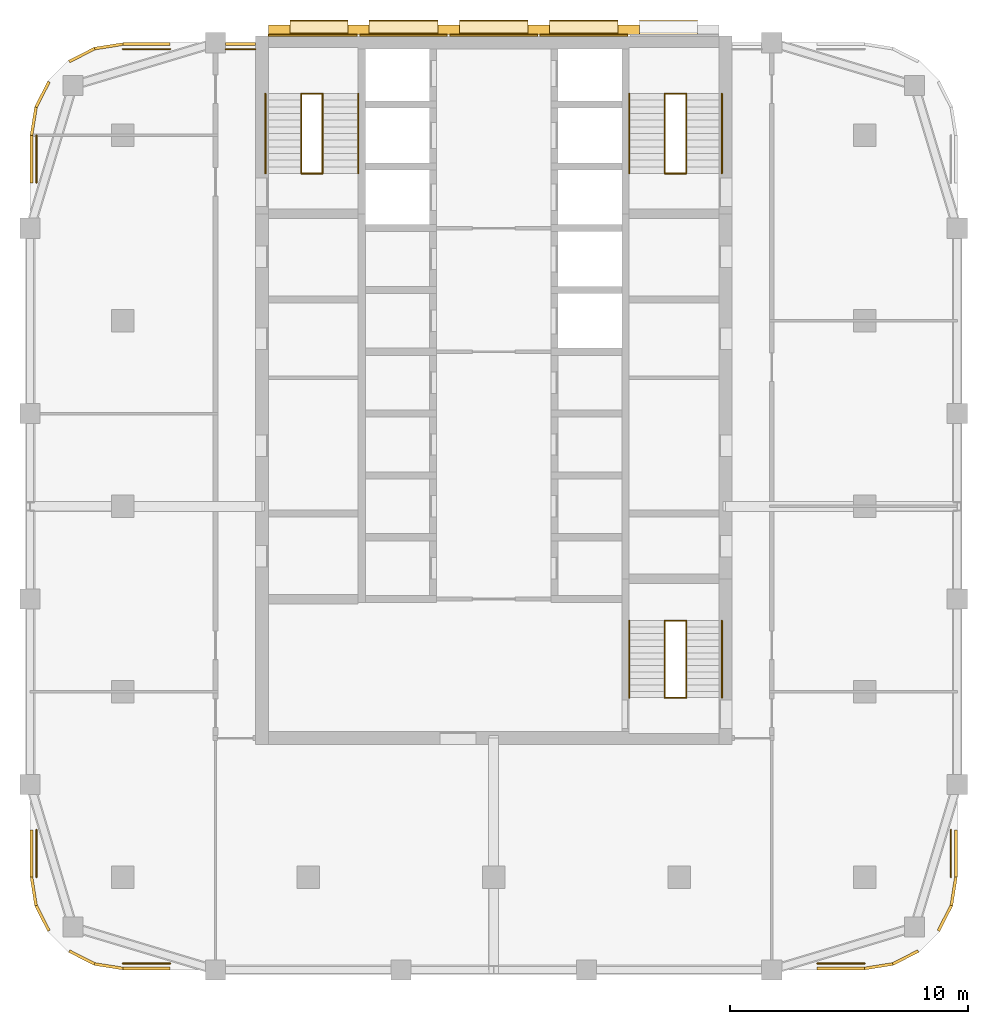
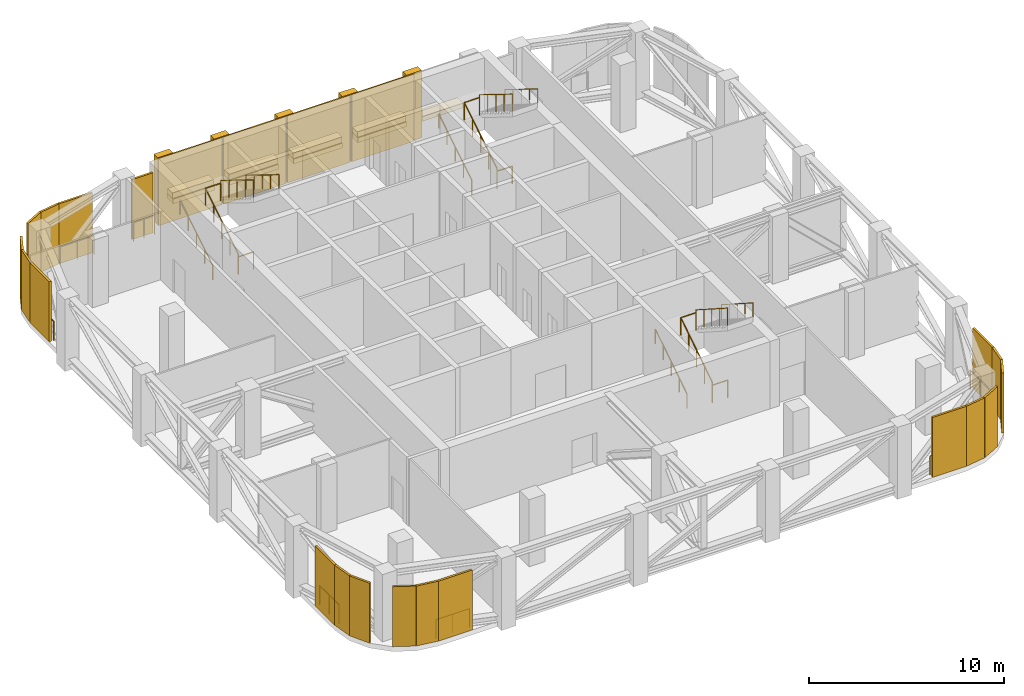
# One storey, part 10 of 11: 25 railings, 19 shading devices, 18 coverings, 3 elements without a shape of their own.
"""IFC4 building model written with IfcOpenShell, lengths in metres."""

from ifc_helpers import new_model, si_unit, direction, frame, frame_2d, origin, origin_2d, place, context, subcontext, project, spatial, rectangle, circle, extrude, material, layer, layer_set, type_object, element, aggregate, save


model = new_model("IFC4")

# Units and contexts
model_context = context("Model", 3, precision=1e-05, world=origin(), true_north=direction((0.0, 1.0)))
body_context = subcontext(model_context, "Body", "Model", "MODEL_VIEW")
ifc_project = project(units=[si_unit("LENGTHUNIT", "METRE"), si_unit("AREAUNIT", "SQUARE_METRE"), si_unit("VOLUMEUNIT", "CUBIC_METRE"), si_unit("PLANEANGLEUNIT", "RADIAN"), si_unit("MASSUNIT", "GRAM", prefix="KILO")], contexts=[model_context])

# Site, building, storey
site_placement = place(None, origin())
site = spatial("IfcSite", under=ifc_project, at=site_placement, CompositionType="ELEMENT")
building_placement = place(site_placement, origin())
building = spatial("IfcBuilding", under=site, at=building_placement, Name="Ludao Terraces", CompositionType="ELEMENT")
storey_placement = place(building_placement, frame((0.0, 0.0, 144.10009765625)))
storey = spatial("IfcBuildingStorey", under=building, at=storey_placement, Name="L39", CompositionType="ELEMENT", Elevation=144.10009765625)

# Coverings
ifc_material_1 = material(Name="Granite cladding", Category="masonry")
ifc_layer_1 = layer(ifc_material_1, 0.39990234375)
ifc_layer_set_1 = layer_set([ifc_layer_1], Name="ENV Core pilaster stone 400")
covering_type_1 = type_object("IfcCoveringType", Name="ENV Core pilaster stone 400", PredefinedType="CLADDING", material=ifc_layer_set_1)
for number, where, z_axis, x_axis, name in (
    (1, (75.97509765625, 85.054931640625, 0.0), (0.0, 0.0, 1.0), (1.0, 0.0, 0.0), "CC-L39-PIL1"),
    (2, (79.31494140625, 85.054931640625, 0.0), (0.0, 0.0, 1.0), (1.0, 0.0, 0.0), "CC-L39-PIL2"),
    (3, (83.10498046875, 85.054931640625, 0.0), (0.0, 0.0, 1.0), (1.0, 0.0, 0.0), "CC-L39-PIL3"),
    (4, (86.89501953125, 85.054931640625, 0.0), (0.0, 0.0, 1.0), (1.0, 0.0, 0.0), "CC-L39-PIL4"),
    (5, (90.68505859375, 85.054931640625, 0.0), (0.0, 0.0, 1.0), (1.0, 0.0, 0.0), "CC-L39-PIL5"),
):
    element("IfcCovering", number, at=place(storey_placement, frame(where, z_axis=z_axis, x_axis=x_axis)), inside=storey, type_object=covering_type_1, Name=name, PredefinedType="CLADDING", context=body_context, shape_type="SweptSolid", body=[
        extrude(rectangle(XDim=0.89990234375, YDim=0.39990234375, at=origin_2d()), origin(), (0.0, 0.0, 1.0), 4.199951171875),
    ])
ifc_layer_2 = layer(ifc_material_1, 0.60009765625)
ifc_layer_set_2 = layer_set([ifc_layer_2], Name="ENV Core planting shelf stone 600")
covering_type_2 = type_object("IfcCoveringType", Name="ENV Core planting shelf stone 600", PredefinedType="CLADDING", material=ifc_layer_set_2)
covering_1_placement = place(storey_placement, frame((77.64501953125, 85.155029296875, 1.0), z_axis=(0.0, 0.0, 1.0), x_axis=(1.0, 0.0, 0.0)))
element("IfcCovering", 6, at=covering_1_placement, inside=storey, type_object=covering_type_2, Name="CC-L39-SHELF1", PredefinedType="CLADDING", context=body_context, shape_type="SweptSolid", body=[
    extrude(rectangle(XDim=2.43994140625, YDim=0.60009765625, at=origin_2d()), origin(), (0.0, 0.0, 1.0), 0.300048828125),
])
for number, where, z_axis, x_axis, name in (
    (7, (81.2099609375, 85.155029296875, 1.0), (0.0, 0.0, 1.0), (1.0, 0.0, 0.0), "CC-L39-SHELF2"),
    (8, (85.0, 85.155029296875, 1.0), (0.0, 0.0, 1.0), (1.0, 0.0, 0.0), "CC-L39-SHELF3"),
    (9, (88.7900390625, 85.155029296875, 1.0), (0.0, 0.0, 1.0), (1.0, 0.0, 0.0), "CC-L39-SHELF4"),
):
    element("IfcCovering", number, at=place(storey_placement, frame(where, z_axis=z_axis, x_axis=x_axis)), inside=storey, type_object=covering_type_2, Name=name, PredefinedType="CLADDING", context=body_context, shape_type="SweptSolid", body=[
        extrude(rectangle(XDim=2.889892578125, YDim=0.60009765625, at=origin_2d()), origin(), (0.0, 0.0, 1.0), 0.300048828125),
    ])
covering_2_placement = place(storey_placement, frame((92.35498046875, 85.155029296875, 1.0), z_axis=(0.0, 0.0, 1.0), x_axis=(1.0, 0.0, 0.0)))
element("IfcCovering", 10, at=covering_2_placement, inside=storey, type_object=covering_type_2, Name="CC-L39-SHELF5", PredefinedType="CLADDING", context=body_context, shape_type="SweptSolid", body=[
    extrude(rectangle(XDim=2.43994140625, YDim=0.60009765625, at=origin_2d()), origin(), (0.0, 0.0, 1.0), 0.300048828125),
])
ifc_layer_3 = layer(ifc_material_1, 0.080078125)
ifc_layer_set_3 = layer_set([ifc_layer_3], Name="ENV Core stone cladding panel 80")
covering_type_3 = type_object("IfcCoveringType", Name="ENV Core stone cladding panel 80", PredefinedType="CLADDING", material=ifc_layer_set_3)
covering_3_placement = place(storey_placement, frame((77.39501953125, 84.81494140625, 0.0), z_axis=(0.0, 0.0, 1.0), x_axis=(1.0, 0.0, 0.0)))
element("IfcCovering", 11, at=covering_3_placement, inside=storey, type_object=covering_type_3, Name="CC-L39-CORE1", PredefinedType="CLADDING", context=body_context, shape_type="SweptSolid", body=[
    extrude(rectangle(XDim=3.739990234375, YDim=0.080078125, at=origin_2d()), origin(), (0.0, 0.0, 1.0), 4.199951171875),
])
for number, where, z_axis, x_axis, name in (
    (12, (81.2099609375, 84.81494140625, 0.0), (0.0, 0.0, 1.0), (1.0, 0.0, 0.0), "CC-L39-CORE2"),
    (13, (85.0, 84.81494140625, 0.0), (0.0, 0.0, 1.0), (1.0, 0.0, 0.0), "CC-L39-CORE3"),
    (14, (88.7900390625, 84.81494140625, 0.0), (0.0, 0.0, 1.0), (1.0, 0.0, 0.0), "CC-L39-CORE4"),
):
    element("IfcCovering", number, at=place(storey_placement, frame(where, z_axis=z_axis, x_axis=x_axis)), inside=storey, type_object=covering_type_3, Name=name, PredefinedType="CLADDING", context=body_context, shape_type="SweptSolid", body=[
        extrude(rectangle(XDim=3.68994140625, YDim=0.080078125, at=origin_2d()), origin(), (0.0, 0.0, 1.0), 4.199951171875),
    ])

# Shading devices
ifc_material_2 = material(Name="Aluminium 6063-T6", Category="aluminium")
ifc_layer_4 = layer(ifc_material_2, 0.1201171875)
ifc_layer_set_4 = layer_set([ifc_layer_4], Name="ENV Louvre screen 120")
shading_device_type = type_object("IfcShadingDeviceType", Name="ENV Louvre screen 120", PredefinedType="USERDEFINED", material=ifc_layer_set_4)
for number, where, z_axis, x_axis, name in (
    (15, (69.39990234375, 45.56005859375, 0.0), (0.0, 0.0, 1.0), (1.0, 0.0, 0.0), "LV-L39-S1"),
    (16, (98.60791015625, 45.56005859375, 0.0), (0.0, 0.0, 1.0), (1.0, 0.0, 0.0), "LV-L39-S5"),
    (17, (104.43994140625, 49.39990234375, 0.0), (0.0, 0.0, 1.0), (0.0, 1.0, 0.0), "LV-L39-E1"),
    (18, (69.39990234375, 84.43994140625, 0.0), (0.0, 0.0, 1.0), (1.0, 0.0, 0.0), "LV-L39-N1"),
):
    element("IfcShadingDevice", number, at=place(storey_placement, frame(where, z_axis=z_axis, x_axis=x_axis)), inside=storey, type_object=shading_device_type, Name=name, ObjectType="LOUVRE", PredefinedType="USERDEFINED", context=body_context, shape_type="SweptSolid", body=[
        extrude(rectangle(XDim=1.9921875, YDim=0.1201171875, at=frame_2d((0.99609375, 0.0))), origin(), (0.0, 0.0, 1.0), 3.75),
    ])
shading_device_placement = place(storey_placement, frame((73.72509765625, 84.43994140625, 0.0), z_axis=(0.0, 0.0, 1.0), x_axis=(1.0, 0.0, 0.0)))
element("IfcShadingDevice", 19, at=shading_device_placement, inside=storey, type_object=shading_device_type, Name="LV-L39-N2", ObjectType="LOUVRE", PredefinedType="USERDEFINED", context=body_context, shape_type="SweptSolid", body=[
    extrude(rectangle(XDim=1.25, YDim=0.1201171875, at=frame_2d((0.625, 0.0))), origin(), (0.0, 0.0, 1.0), 3.75),
])
for number, where, z_axis, x_axis, name in (
    (20, (65.56005859375, 49.39990234375, 0.0), (0.0, 0.0, 1.0), (0.0, 1.0, 0.0), "LV-L39-W1"),
    (21, (65.56005859375, 78.60791015625, 0.0), (0.0, 0.0, 1.0), (0.0, 1.0, 0.0), "LV-L39-W5"),
):
    element("IfcShadingDevice", number, at=place(storey_placement, frame(where, z_axis=z_axis, x_axis=x_axis)), inside=storey, type_object=shading_device_type, Name=name, ObjectType="LOUVRE", PredefinedType="USERDEFINED", context=body_context, shape_type="SweptSolid", body=[
        extrude(rectangle(XDim=1.9921875, YDim=0.1201171875, at=frame_2d((0.99609375, 0.0))), origin(), (0.0, 0.0, 1.0), 3.75),
    ])
for number, where, z_axis, x_axis, name in (
    (22, (100.60009765625, 45.56005859375, 0.0), (0.0, 0.0, 1.0), (0.987680438414, 0.156484349296, 0.0), "LV-L39-SE1"),
    (23, (101.78662109375, 45.748046875, 0.0), (0.0, 0.0, 1.0), (0.891028641699, 0.453947089066, 0.0), "LV-L39-SE2"),
    (24, (103.70654296875, 47.142822265625, 0.0), (0.0, 0.0, 1.0), (0.453947089066, 0.891028641699, 0.0), "LV-L39-SE4"),
    (25, (104.251953125, 48.21337890625, 0.0), (0.0, 0.0, 1.0), (0.156484349296, 0.987680438414, 0.0), "LV-L39-SE5"),
    (26, (69.39990234375, 84.43994140625, 0.0), (0.0, 0.0, 1.0), (-0.987680438414, -0.156484349296, 0.0), "LV-L39-NW1"),
    (27, (68.21337890625, 84.251953125, 0.0), (0.0, 0.0, 1.0), (-0.891028641699, -0.453947089066, 0.0), "LV-L39-NW2"),
    (28, (66.29345703125, 82.857177734375, 0.0), (0.0, 0.0, 1.0), (-0.453947089066, -0.891028641699, 0.0), "LV-L39-NW4"),
    (29, (65.748046875, 81.78662109375, 0.0), (0.0, 0.0, 1.0), (-0.156484349296, -0.987680438414, 0.0), "LV-L39-NW5"),
    (30, (65.56005859375, 49.39990234375, 0.0), (0.0, 0.0, 1.0), (0.156484349296, -0.987680438414, 0.0), "LV-L39-SW1"),
    (31, (65.748046875, 48.21337890625, 0.0), (0.0, 0.0, 1.0), (0.453947089066, -0.891028641699, 0.0), "LV-L39-SW2"),
    (32, (67.142822265625, 46.29345703125, 0.0), (0.0, 0.0, 1.0), (0.891028641699, -0.453947089066, 0.0), "LV-L39-SW4"),
    (33, (68.21337890625, 45.748046875, 0.0), (0.0, 0.0, 1.0), (0.987680438414, -0.156484349296, 0.0), "LV-L39-SW5"),
):
    element("IfcShadingDevice", number, at=place(storey_placement, frame(where, z_axis=z_axis, x_axis=x_axis)), inside=storey, type_object=shading_device_type, Name=name, ObjectType="LOUVRE", PredefinedType="USERDEFINED", context=body_context, shape_type="SweptSolid", body=[
        extrude(rectangle(XDim=1.201416015625, YDim=0.1201171875, at=frame_2d((0.6005859375, 0.0))), origin(), (0.0, 0.0, 1.0), 3.75),
    ])

# Railings
ifc_material_3 = material(Name="Steel Q235", Category="steel")
railing_type_1 = type_object("IfcRailingType", Name="ENV Open-edge guard 1200", PredefinedType="GUARDRAIL", material=ifc_material_3)
for number, where, name in (
    (34, (69.39990234375, 45.77001953125, 0.0), "Guard L39 S1"),
    (35, (98.60791015625, 45.77001953125, 0.0), "Guard L39 S5"),
):
    element("IfcRailing", number, at=place(storey_placement, frame(where)), inside=storey, type_object=railing_type_1, Name=name, PredefinedType="GUARDRAIL", context=body_context, shape_type="SweptSolid", body=[
        extrude(circle(Radius=0.02392578125, at=origin_2d()), frame((0.0, 0.0, 1.17578125), z_axis=(1.0, 0.0, 0.0), x_axis=(0.0, 1.0, 0.0)), (0.0, 0.0, 1.0), 1.9921875),
        extrude(circle(Radius=0.02099609375, at=origin_2d()), origin(), (0.0, 0.0, 1.0), 1.15185546875),
        extrude(circle(Radius=0.02099609375, at=origin_2d()), frame((0.99609375, 0.0, 0.0)), (0.0, 0.0, 1.0), 1.15185546875),
        extrude(circle(Radius=0.02099609375, at=origin_2d()), frame((1.9921875, 0.0, 0.0)), (0.0, 0.0, 1.0), 1.15185546875),
    ])
railing_1_placement = place(storey_placement, frame((104.22998046875, 49.39990234375, 0.0)))
element("IfcRailing", 36, at=railing_1_placement, inside=storey, type_object=railing_type_1, Name="Guard L39 E1", PredefinedType="GUARDRAIL", context=body_context, shape_type="SweptSolid", body=[
    extrude(circle(Radius=0.02392578125, at=origin_2d()), frame((0.0, 0.0, 1.17578125), z_axis=(0.0, 1.0, 0.0), x_axis=(-1.0, 0.0, 0.0)), (0.0, 0.0, 1.0), 1.9921875),
    extrude(circle(Radius=0.02099609375, at=origin_2d()), origin(), (0.0, 0.0, 1.0), 1.15185546875),
    extrude(circle(Radius=0.02099609375, at=origin_2d()), frame((0.0, 0.99609375, 0.0)), (0.0, 0.0, 1.0), 1.15185546875),
    extrude(circle(Radius=0.02099609375, at=origin_2d()), frame((0.0, 1.9921875, 0.0)), (0.0, 0.0, 1.0), 1.15185546875),
])
railing_2_placement = place(storey_placement, frame((69.39990234375, 84.22998046875, 0.0)))
element("IfcRailing", 37, at=railing_2_placement, inside=storey, type_object=railing_type_1, Name="Guard L39 N1", PredefinedType="GUARDRAIL", context=body_context, shape_type="SweptSolid", body=[
    extrude(circle(Radius=0.02392578125, at=origin_2d()), frame((0.0, 0.0, 1.17578125), z_axis=(1.0, 0.0, 0.0), x_axis=(0.0, 1.0, 0.0)), (0.0, 0.0, 1.0), 1.9921875),
    extrude(circle(Radius=0.02099609375, at=origin_2d()), origin(), (0.0, 0.0, 1.0), 1.15185546875),
    extrude(circle(Radius=0.02099609375, at=origin_2d()), frame((0.99609375, 0.0, 0.0)), (0.0, 0.0, 1.0), 1.15185546875),
    extrude(circle(Radius=0.02099609375, at=origin_2d()), frame((1.9921875, 0.0, 0.0)), (0.0, 0.0, 1.0), 1.15185546875),
])
railing_3_placement = place(storey_placement, frame((73.72509765625, 84.22998046875, 0.0)))
element("IfcRailing", 38, at=railing_3_placement, inside=storey, type_object=railing_type_1, Name="Guard L39 N2", PredefinedType="GUARDRAIL", context=body_context, shape_type="SweptSolid", body=[
    extrude(circle(Radius=0.02392578125, at=origin_2d()), frame((0.0, 0.0, 1.17578125), z_axis=(1.0, 0.0, 0.0), x_axis=(0.0, 1.0, 0.0)), (0.0, 0.0, 1.0), 1.25),
    extrude(circle(Radius=0.02099609375, at=origin_2d()), origin(), (0.0, 0.0, 1.0), 1.15185546875),
    extrude(circle(Radius=0.02099609375, at=origin_2d()), frame((0.625, 0.0, 0.0)), (0.0, 0.0, 1.0), 1.15185546875),
    extrude(circle(Radius=0.02099609375, at=origin_2d()), frame((1.25, 0.0, 0.0)), (0.0, 0.0, 1.0), 1.15185546875),
])
for number, where, name in (
    (39, (65.77001953125, 49.39990234375, 0.0), "Guard L39 W1"),
    (40, (65.77001953125, 78.60791015625, 0.0), "Guard L39 W5"),
):
    element("IfcRailing", number, at=place(storey_placement, frame(where)), inside=storey, type_object=railing_type_1, Name=name, PredefinedType="GUARDRAIL", context=body_context, shape_type="SweptSolid", body=[
        extrude(circle(Radius=0.02392578125, at=origin_2d()), frame((0.0, 0.0, 1.17578125), z_axis=(0.0, 1.0, 0.0), x_axis=(-1.0, 0.0, 0.0)), (0.0, 0.0, 1.0), 1.9921875),
        extrude(circle(Radius=0.02099609375, at=origin_2d()), origin(), (0.0, 0.0, 1.0), 1.15185546875),
        extrude(circle(Radius=0.02099609375, at=origin_2d()), frame((0.0, 0.99609375, 0.0)), (0.0, 0.0, 1.0), 1.15185546875),
        extrude(circle(Radius=0.02099609375, at=origin_2d()), frame((0.0, 1.9921875, 0.0)), (0.0, 0.0, 1.0), 1.15185546875),
    ])

# Coverings
ifc_material_4 = material(Name="Planting")
ifc_layer_5 = layer(ifc_material_4, 0.5)
ifc_layer_set_5 = layer_set([ifc_layer_5], Name="ENV Shelf planting bed 350")
covering_type_4 = type_object("IfcCoveringType", Name="ENV Shelf planting bed 350", PredefinedType="USERDEFINED", material=ifc_layer_set_5)
covering_4_placement = place(storey_placement, frame((77.64501953125, 85.155029296875, 1.2998046875), z_axis=(0.0, 0.0, 1.0), x_axis=(1.0, 0.0, 0.0)))
element("IfcCovering", 41, at=covering_4_placement, inside=storey, type_object=covering_type_4, Name="Shelf planting bed L39 1", ObjectType="PLANTING", PredefinedType="USERDEFINED", context=body_context, shape_type="SweptSolid", body=[
    extrude(rectangle(XDim=2.43994140625, YDim=0.5, at=origin_2d()), origin(), (0.0, 0.0, 1.0), 0.35009765625),
])
for number, where, z_axis, x_axis, name in (
    (42, (81.2099609375, 85.155029296875, 1.2998046875), (0.0, 0.0, 1.0), (1.0, 0.0, 0.0), "Shelf planting bed L39 2"),
    (43, (85.0, 85.155029296875, 1.2998046875), (0.0, 0.0, 1.0), (1.0, 0.0, 0.0), "Shelf planting bed L39 3"),
    (44, (88.7900390625, 85.155029296875, 1.2998046875), (0.0, 0.0, 1.0), (1.0, 0.0, 0.0), "Shelf planting bed L39 4"),
):
    element("IfcCovering", number, at=place(storey_placement, frame(where, z_axis=z_axis, x_axis=x_axis)), inside=storey, type_object=covering_type_4, Name=name, ObjectType="PLANTING", PredefinedType="USERDEFINED", context=body_context, shape_type="SweptSolid", body=[
        extrude(rectangle(XDim=2.889892578125, YDim=0.5, at=origin_2d()), origin(), (0.0, 0.0, 1.0), 0.35009765625),
    ])

# Stair, railings
ifc_material_5 = material(Name="Concrete C40", Category="concrete")
stair_type = type_object("IfcStairType", Name="INT Stair", PredefinedType="HALF_TURN_STAIR", material=ifc_material_5)
stair_1_placement = place(storey_placement, origin())
stair_1 = element("IfcStair", 45, at=stair_1_placement, inside=storey, type_object=stair_type, Name="EXIT STAIR 1", PredefinedType="HALF_TURN_STAIR")
ifc_material_6 = material(Name="Stainless steel 304", Category="steel")
railing_type_2 = type_object("IfcRailingType", Name="INT Stair guard 1100", PredefinedType="GUARDRAIL", material=ifc_material_6)
railing_4_placement = place(storey_placement, frame((76.89990234375, 79.0, 0.173095703125)))
railing_4 = element("IfcRailing", 46, at=railing_4_placement, type_object=railing_type_2, Name="ST-L39-S1-R1G", PredefinedType="GUARDRAIL", context=body_context, shape_type="SweptSolid", body=[
    extrude(circle(Radius=0.02392578125, at=origin_2d()), frame((0.0, 0.0, 1.076171875), z_axis=(0.0, 0.850623216509, 0.525775754039), x_axis=(-1.0, 0.0, 0.0)), (0.0, 0.0, 1.0), 3.9501953125),
    extrude(circle(Radius=0.02099609375, at=origin_2d()), origin(), (0.0, 0.0, 1.0), 1.052001953125),
    extrude(circle(Radius=0.02099609375, at=origin_2d()), frame((0.0, 0.840087890625, 0.519287109375)), (0.0, 0.0, 1.0), 1.052001953125),
    extrude(circle(Radius=0.02099609375, at=origin_2d()), frame((0.0, 1.68017578125, 1.03857421875)), (0.0, 0.0, 1.0), 1.052001953125),
    extrude(circle(Radius=0.02099609375, at=origin_2d()), frame((0.0, 2.52001953125, 1.5576171875)), (0.0, 0.0, 1.0), 1.052001953125),
    extrude(circle(Radius=0.02099609375, at=origin_2d()), frame((0.0, 3.360107421875, 2.076904296875)), (0.0, 0.0, 1.0), 1.052001953125),
])
railing_5_placement = place(storey_placement, frame((77.800048828125, 82.360107421875, 2.423095703125)))
railing_5 = element("IfcRailing", 47, at=railing_5_placement, type_object=railing_type_2, Name="ST-L39-S1-R2G", PredefinedType="GUARDRAIL", context=body_context, shape_type="SweptSolid", body=[
    extrude(circle(Radius=0.02392578125, at=origin_2d()), frame((0.0, 0.0, 1.076171875), z_axis=(0.0, -0.850623216509, 0.525775754039), x_axis=(1.0, 0.0, 0.0)), (0.0, 0.0, 1.0), 3.9501953125),
    extrude(circle(Radius=0.02099609375, at=origin_2d()), origin(), (0.0, 0.0, 1.0), 1.052001953125),
    extrude(circle(Radius=0.02099609375, at=origin_2d()), frame((0.0, -0.840087890625, 0.519287109375)), (0.0, 0.0, 1.0), 1.052001953125),
    extrude(circle(Radius=0.02099609375, at=origin_2d()), frame((0.0, -1.68017578125, 1.03857421875)), (0.0, 0.0, 1.0), 1.052001953125),
    extrude(circle(Radius=0.02099609375, at=origin_2d()), frame((0.0, -2.52001953125, 1.5576171875)), (0.0, 0.0, 1.0), 1.052001953125),
    extrude(circle(Radius=0.02099609375, at=origin_2d()), frame((0.0, -3.360107421875, 2.076904296875)), (0.0, 0.0, 1.0), 1.052001953125),
])
railing_6_placement = place(storey_placement, frame((76.89990234375, 82.360107421875, 2.25)))
railing_6 = element("IfcRailing", 48, at=railing_6_placement, type_object=railing_type_2, Name="ST-L39-S1-E1G", PredefinedType="GUARDRAIL", context=body_context, shape_type="SweptSolid", body=[
    extrude(circle(Radius=0.02392578125, at=origin_2d()), frame((0.0, 0.0, 1.076171875), z_axis=(1.0, 0.0, 0.0), x_axis=(0.0, 1.0, 0.0)), (0.0, 0.0, 1.0), 0.900146484375),
    extrude(circle(Radius=0.02099609375, at=origin_2d()), origin(), (0.0, 0.0, 1.0), 1.052001953125),
    extrude(circle(Radius=0.02099609375, at=origin_2d()), frame((0.900146484375, 0.0, 0.0)), (0.0, 0.0, 1.0), 1.052001953125),
])
railing_7_placement = place(storey_placement, frame((76.89990234375, 79.0, 0.0)))
railing_7 = element("IfcRailing", 49, at=railing_7_placement, type_object=railing_type_2, Name="ST-L39-S1-E2G", PredefinedType="GUARDRAIL", context=body_context, shape_type="SweptSolid", body=[
    extrude(circle(Radius=0.02392578125, at=origin_2d()), frame((0.0, 0.0, 1.076171875), z_axis=(1.0, 0.0, 0.0), x_axis=(0.0, 1.0, 0.0)), (0.0, 0.0, 1.0), 0.900146484375),
    extrude(circle(Radius=0.02099609375, at=origin_2d()), origin(), (0.0, 0.0, 1.0), 1.052001953125),
    extrude(circle(Radius=0.02099609375, at=origin_2d()), frame((0.900146484375, 0.0, 0.0)), (0.0, 0.0, 1.0), 1.052001953125),
])

stair_2_placement = place(storey_placement, origin())
stair_2 = element("IfcStair", 50, at=stair_2_placement, inside=storey, type_object=stair_type, Name="EXIT STAIR 2", PredefinedType="HALF_TURN_STAIR")
railing_8_placement = place(storey_placement, frame((92.199951171875, 79.0, 0.173095703125)))
railing_8 = element("IfcRailing", 51, at=railing_8_placement, type_object=railing_type_2, Name="ST-L39-S2-R1G", PredefinedType="GUARDRAIL", context=body_context, shape_type="SweptSolid", body=[
    extrude(circle(Radius=0.02392578125, at=origin_2d()), frame((0.0, 0.0, 1.076171875), z_axis=(0.0, 0.850623216509, 0.525775754039), x_axis=(-1.0, 0.0, 0.0)), (0.0, 0.0, 1.0), 3.9501953125),
    extrude(circle(Radius=0.02099609375, at=origin_2d()), origin(), (0.0, 0.0, 1.0), 1.052001953125),
    extrude(circle(Radius=0.02099609375, at=origin_2d()), frame((0.0, 0.840087890625, 0.519287109375)), (0.0, 0.0, 1.0), 1.052001953125),
    extrude(circle(Radius=0.02099609375, at=origin_2d()), frame((0.0, 1.68017578125, 1.03857421875)), (0.0, 0.0, 1.0), 1.052001953125),
    extrude(circle(Radius=0.02099609375, at=origin_2d()), frame((0.0, 2.52001953125, 1.5576171875)), (0.0, 0.0, 1.0), 1.052001953125),
    extrude(circle(Radius=0.02099609375, at=origin_2d()), frame((0.0, 3.360107421875, 2.076904296875)), (0.0, 0.0, 1.0), 1.052001953125),
])
railing_9_placement = place(storey_placement, frame((93.10009765625, 82.360107421875, 2.423095703125)))
railing_9 = element("IfcRailing", 52, at=railing_9_placement, type_object=railing_type_2, Name="ST-L39-S2-R2G", PredefinedType="GUARDRAIL", context=body_context, shape_type="SweptSolid", body=[
    extrude(circle(Radius=0.02392578125, at=origin_2d()), frame((0.0, 0.0, 1.076171875), z_axis=(0.0, -0.850623216509, 0.525775754039), x_axis=(1.0, 0.0, 0.0)), (0.0, 0.0, 1.0), 3.9501953125),
    extrude(circle(Radius=0.02099609375, at=origin_2d()), origin(), (0.0, 0.0, 1.0), 1.052001953125),
    extrude(circle(Radius=0.02099609375, at=origin_2d()), frame((0.0, -0.840087890625, 0.519287109375)), (0.0, 0.0, 1.0), 1.052001953125),
    extrude(circle(Radius=0.02099609375, at=origin_2d()), frame((0.0, -1.68017578125, 1.03857421875)), (0.0, 0.0, 1.0), 1.052001953125),
    extrude(circle(Radius=0.02099609375, at=origin_2d()), frame((0.0, -2.52001953125, 1.5576171875)), (0.0, 0.0, 1.0), 1.052001953125),
    extrude(circle(Radius=0.02099609375, at=origin_2d()), frame((0.0, -3.360107421875, 2.076904296875)), (0.0, 0.0, 1.0), 1.052001953125),
])
railing_10_placement = place(storey_placement, frame((92.199951171875, 82.360107421875, 2.25)))
railing_10 = element("IfcRailing", 53, at=railing_10_placement, type_object=railing_type_2, Name="ST-L39-S2-E1G", PredefinedType="GUARDRAIL", context=body_context, shape_type="SweptSolid", body=[
    extrude(circle(Radius=0.02392578125, at=origin_2d()), frame((0.0, 0.0, 1.076171875), z_axis=(1.0, 0.0, 0.0), x_axis=(0.0, 1.0, 0.0)), (0.0, 0.0, 1.0), 0.900146484375),
    extrude(circle(Radius=0.02099609375, at=origin_2d()), origin(), (0.0, 0.0, 1.0), 1.052001953125),
    extrude(circle(Radius=0.02099609375, at=origin_2d()), frame((0.900146484375, 0.0, 0.0)), (0.0, 0.0, 1.0), 1.052001953125),
])
railing_11_placement = place(storey_placement, frame((92.199951171875, 79.0, 0.0)))
railing_11 = element("IfcRailing", 54, at=railing_11_placement, type_object=railing_type_2, Name="ST-L39-S2-E2G", PredefinedType="GUARDRAIL", context=body_context, shape_type="SweptSolid", body=[
    extrude(circle(Radius=0.02392578125, at=origin_2d()), frame((0.0, 0.0, 1.076171875), z_axis=(1.0, 0.0, 0.0), x_axis=(0.0, 1.0, 0.0)), (0.0, 0.0, 1.0), 0.900146484375),
    extrude(circle(Radius=0.02099609375, at=origin_2d()), origin(), (0.0, 0.0, 1.0), 1.052001953125),
    extrude(circle(Radius=0.02099609375, at=origin_2d()), frame((0.900146484375, 0.0, 0.0)), (0.0, 0.0, 1.0), 1.052001953125),
])

stair_3_placement = place(storey_placement, origin())
stair_3 = element("IfcStair", 55, at=stair_3_placement, inside=storey, type_object=stair_type, Name="EXIT STAIR 3", PredefinedType="HALF_TURN_STAIR")
railing_12_placement = place(storey_placement, frame((92.199951171875, 56.949951171875, 0.173095703125)))
railing_12 = element("IfcRailing", 56, at=railing_12_placement, type_object=railing_type_2, Name="ST-L39-S3-R1G", PredefinedType="GUARDRAIL", context=body_context, shape_type="SweptSolid", body=[
    extrude(circle(Radius=0.02392578125, at=origin_2d()), frame((0.0, 0.0, 1.076171875), z_axis=(0.0, 0.841880617004, 0.539663808971), x_axis=(-1.0, 0.0, 0.0)), (0.0, 0.0, 1.0), 3.8486328125),
    extrude(circle(Radius=0.02099609375, at=origin_2d()), origin(), (0.0, 0.0, 1.0), 1.052001953125),
    extrude(circle(Radius=0.02099609375, at=origin_2d()), frame((0.0, 0.81005859375, 0.519287109375)), (0.0, 0.0, 1.0), 1.052001953125),
    extrude(circle(Radius=0.02099609375, at=origin_2d()), frame((0.0, 1.6201171875, 1.03857421875)), (0.0, 0.0, 1.0), 1.052001953125),
    extrude(circle(Radius=0.02099609375, at=origin_2d()), frame((0.0, 2.429931640625, 1.5576171875)), (0.0, 0.0, 1.0), 1.052001953125),
    extrude(circle(Radius=0.02099609375, at=origin_2d()), frame((0.0, 3.239990234375, 2.076904296875)), (0.0, 0.0, 1.0), 1.052001953125),
])
railing_13_placement = place(storey_placement, frame((93.10009765625, 60.18994140625, 2.423095703125)))
railing_13 = element("IfcRailing", 57, at=railing_13_placement, type_object=railing_type_2, Name="ST-L39-S3-R2G", PredefinedType="GUARDRAIL", context=body_context, shape_type="SweptSolid", body=[
    extrude(circle(Radius=0.02392578125, at=origin_2d()), frame((0.0, 0.0, 1.076171875), z_axis=(0.0, -0.841880617004, 0.539663808971), x_axis=(1.0, 0.0, 0.0)), (0.0, 0.0, 1.0), 3.8486328125),
    extrude(circle(Radius=0.02099609375, at=origin_2d()), origin(), (0.0, 0.0, 1.0), 1.052001953125),
    extrude(circle(Radius=0.02099609375, at=origin_2d()), frame((0.0, -0.81005859375, 0.519287109375)), (0.0, 0.0, 1.0), 1.052001953125),
    extrude(circle(Radius=0.02099609375, at=origin_2d()), frame((0.0, -1.6201171875, 1.03857421875)), (0.0, 0.0, 1.0), 1.052001953125),
    extrude(circle(Radius=0.02099609375, at=origin_2d()), frame((0.0, -2.429931640625, 1.5576171875)), (0.0, 0.0, 1.0), 1.052001953125),
    extrude(circle(Radius=0.02099609375, at=origin_2d()), frame((0.0, -3.239990234375, 2.076904296875)), (0.0, 0.0, 1.0), 1.052001953125),
])
railing_14_placement = place(storey_placement, frame((92.199951171875, 60.18994140625, 2.25)))
railing_14 = element("IfcRailing", 58, at=railing_14_placement, type_object=railing_type_2, Name="ST-L39-S3-E1G", PredefinedType="GUARDRAIL", context=body_context, shape_type="SweptSolid", body=[
    extrude(circle(Radius=0.02392578125, at=origin_2d()), frame((0.0, 0.0, 1.076171875), z_axis=(1.0, 0.0, 0.0), x_axis=(0.0, 1.0, 0.0)), (0.0, 0.0, 1.0), 0.900146484375),
    extrude(circle(Radius=0.02099609375, at=origin_2d()), origin(), (0.0, 0.0, 1.0), 1.052001953125),
    extrude(circle(Radius=0.02099609375, at=origin_2d()), frame((0.900146484375, 0.0, 0.0)), (0.0, 0.0, 1.0), 1.052001953125),
])
railing_15_placement = place(storey_placement, frame((92.199951171875, 56.949951171875, 0.0)))
railing_15 = element("IfcRailing", 59, at=railing_15_placement, type_object=railing_type_2, Name="ST-L39-S3-E2G", PredefinedType="GUARDRAIL", context=body_context, shape_type="SweptSolid", body=[
    extrude(circle(Radius=0.02392578125, at=origin_2d()), frame((0.0, 0.0, 1.076171875), z_axis=(1.0, 0.0, 0.0), x_axis=(0.0, 1.0, 0.0)), (0.0, 0.0, 1.0), 0.900146484375),
    extrude(circle(Radius=0.02099609375, at=origin_2d()), origin(), (0.0, 0.0, 1.0), 1.052001953125),
    extrude(circle(Radius=0.02099609375, at=origin_2d()), frame((0.900146484375, 0.0, 0.0)), (0.0, 0.0, 1.0), 1.052001953125),
])

# Railing
railing_type_3 = type_object("IfcRailingType", Name="INT Stair handrail 900", PredefinedType="HANDRAIL", material=ifc_material_6)
railing_16_placement = place(storey_placement, frame((75.39990234375, 79.0, 0.173095703125)))
railing_16 = element("IfcRailing", 60, at=railing_16_placement, type_object=railing_type_3, Name="ST-L39-S1-R1H", PredefinedType="HANDRAIL", context=body_context, shape_type="SweptSolid", body=[
    extrude(circle(Radius=0.02392578125, at=origin_2d()), frame((0.0, 0.0, 0.8759765625), z_axis=(0.0, 0.850623216509, 0.525775754039), x_axis=(-1.0, 0.0, 0.0)), (0.0, 0.0, 1.0), 3.9501953125),
    extrude(circle(Radius=0.02099609375, at=origin_2d()), origin(), (0.0, 0.0, 1.0), 0.851806640625),
    extrude(circle(Radius=0.02099609375, at=origin_2d()), frame((0.0, 0.840087890625, 0.519287109375)), (0.0, 0.0, 1.0), 0.851806640625),
    extrude(circle(Radius=0.02099609375, at=origin_2d()), frame((0.0, 1.68017578125, 1.03857421875)), (0.0, 0.0, 1.0), 0.851806640625),
    extrude(circle(Radius=0.02099609375, at=origin_2d()), frame((0.0, 2.52001953125, 1.5576171875)), (0.0, 0.0, 1.0), 0.851806640625),
    extrude(circle(Radius=0.02099609375, at=origin_2d()), frame((0.0, 3.360107421875, 2.076904296875)), (0.0, 0.0, 1.0), 0.851806640625),
])

railing_17_placement = place(storey_placement, frame((79.300048828125, 82.360107421875, 2.423095703125)))
railing_17 = element("IfcRailing", 61, at=railing_17_placement, type_object=railing_type_3, Name="ST-L39-S1-R2H", PredefinedType="HANDRAIL", context=body_context, shape_type="SweptSolid", body=[
    extrude(circle(Radius=0.02392578125, at=origin_2d()), frame((0.0, 0.0, 0.8759765625), z_axis=(0.0, -0.850623216509, 0.525775754039), x_axis=(1.0, 0.0, 0.0)), (0.0, 0.0, 1.0), 3.9501953125),
    extrude(circle(Radius=0.02099609375, at=origin_2d()), origin(), (0.0, 0.0, 1.0), 0.851806640625),
    extrude(circle(Radius=0.02099609375, at=origin_2d()), frame((0.0, -0.840087890625, 0.519287109375)), (0.0, 0.0, 1.0), 0.851806640625),
    extrude(circle(Radius=0.02099609375, at=origin_2d()), frame((0.0, -1.68017578125, 1.03857421875)), (0.0, 0.0, 1.0), 0.851806640625),
    extrude(circle(Radius=0.02099609375, at=origin_2d()), frame((0.0, -2.52001953125, 1.5576171875)), (0.0, 0.0, 1.0), 0.851806640625),
    extrude(circle(Radius=0.02099609375, at=origin_2d()), frame((0.0, -3.360107421875, 2.076904296875)), (0.0, 0.0, 1.0), 0.851806640625),
])

aggregate(stair_1, [railing_4, railing_16, railing_5, railing_17, railing_6, railing_7])

railing_18_placement = place(storey_placement, frame((90.699951171875, 79.0, 0.173095703125)))
railing_18 = element("IfcRailing", 62, at=railing_18_placement, type_object=railing_type_3, Name="ST-L39-S2-R1H", PredefinedType="HANDRAIL", context=body_context, shape_type="SweptSolid", body=[
    extrude(circle(Radius=0.02392578125, at=origin_2d()), frame((0.0, 0.0, 0.8759765625), z_axis=(0.0, 0.850623216509, 0.525775754039), x_axis=(-1.0, 0.0, 0.0)), (0.0, 0.0, 1.0), 3.9501953125),
    extrude(circle(Radius=0.02099609375, at=origin_2d()), origin(), (0.0, 0.0, 1.0), 0.851806640625),
    extrude(circle(Radius=0.02099609375, at=origin_2d()), frame((0.0, 0.840087890625, 0.519287109375)), (0.0, 0.0, 1.0), 0.851806640625),
    extrude(circle(Radius=0.02099609375, at=origin_2d()), frame((0.0, 1.68017578125, 1.03857421875)), (0.0, 0.0, 1.0), 0.851806640625),
    extrude(circle(Radius=0.02099609375, at=origin_2d()), frame((0.0, 2.52001953125, 1.5576171875)), (0.0, 0.0, 1.0), 0.851806640625),
    extrude(circle(Radius=0.02099609375, at=origin_2d()), frame((0.0, 3.360107421875, 2.076904296875)), (0.0, 0.0, 1.0), 0.851806640625),
])

railing_19_placement = place(storey_placement, frame((94.60009765625, 82.360107421875, 2.423095703125)))
railing_19 = element("IfcRailing", 63, at=railing_19_placement, type_object=railing_type_3, Name="ST-L39-S2-R2H", PredefinedType="HANDRAIL", context=body_context, shape_type="SweptSolid", body=[
    extrude(circle(Radius=0.02392578125, at=origin_2d()), frame((0.0, 0.0, 0.8759765625), z_axis=(0.0, -0.850623216509, 0.525775754039), x_axis=(1.0, 0.0, 0.0)), (0.0, 0.0, 1.0), 3.9501953125),
    extrude(circle(Radius=0.02099609375, at=origin_2d()), origin(), (0.0, 0.0, 1.0), 0.851806640625),
    extrude(circle(Radius=0.02099609375, at=origin_2d()), frame((0.0, -0.840087890625, 0.519287109375)), (0.0, 0.0, 1.0), 0.851806640625),
    extrude(circle(Radius=0.02099609375, at=origin_2d()), frame((0.0, -1.68017578125, 1.03857421875)), (0.0, 0.0, 1.0), 0.851806640625),
    extrude(circle(Radius=0.02099609375, at=origin_2d()), frame((0.0, -2.52001953125, 1.5576171875)), (0.0, 0.0, 1.0), 0.851806640625),
    extrude(circle(Radius=0.02099609375, at=origin_2d()), frame((0.0, -3.360107421875, 2.076904296875)), (0.0, 0.0, 1.0), 0.851806640625),
])

aggregate(stair_2, [railing_8, railing_18, railing_9, railing_19, railing_10, railing_11])

railing_20_placement = place(storey_placement, frame((90.699951171875, 56.949951171875, 0.173095703125)))
railing_20 = element("IfcRailing", 64, at=railing_20_placement, type_object=railing_type_3, Name="ST-L39-S3-R1H", PredefinedType="HANDRAIL", context=body_context, shape_type="SweptSolid", body=[
    extrude(circle(Radius=0.02392578125, at=origin_2d()), frame((0.0, 0.0, 0.8759765625), z_axis=(0.0, 0.841880617004, 0.539663808971), x_axis=(-1.0, 0.0, 0.0)), (0.0, 0.0, 1.0), 3.8486328125),
    extrude(circle(Radius=0.02099609375, at=origin_2d()), origin(), (0.0, 0.0, 1.0), 0.851806640625),
    extrude(circle(Radius=0.02099609375, at=origin_2d()), frame((0.0, 0.81005859375, 0.519287109375)), (0.0, 0.0, 1.0), 0.851806640625),
    extrude(circle(Radius=0.02099609375, at=origin_2d()), frame((0.0, 1.6201171875, 1.03857421875)), (0.0, 0.0, 1.0), 0.851806640625),
    extrude(circle(Radius=0.02099609375, at=origin_2d()), frame((0.0, 2.429931640625, 1.5576171875)), (0.0, 0.0, 1.0), 0.851806640625),
    extrude(circle(Radius=0.02099609375, at=origin_2d()), frame((0.0, 3.239990234375, 2.076904296875)), (0.0, 0.0, 1.0), 0.851806640625),
])

railing_21_placement = place(storey_placement, frame((94.60009765625, 60.18994140625, 2.423095703125)))
railing_21 = element("IfcRailing", 65, at=railing_21_placement, type_object=railing_type_3, Name="ST-L39-S3-R2H", PredefinedType="HANDRAIL", context=body_context, shape_type="SweptSolid", body=[
    extrude(circle(Radius=0.02392578125, at=origin_2d()), frame((0.0, 0.0, 0.8759765625), z_axis=(0.0, -0.841880617004, 0.539663808971), x_axis=(1.0, 0.0, 0.0)), (0.0, 0.0, 1.0), 3.8486328125),
    extrude(circle(Radius=0.02099609375, at=origin_2d()), origin(), (0.0, 0.0, 1.0), 0.851806640625),
    extrude(circle(Radius=0.02099609375, at=origin_2d()), frame((0.0, -0.81005859375, 0.519287109375)), (0.0, 0.0, 1.0), 0.851806640625),
    extrude(circle(Radius=0.02099609375, at=origin_2d()), frame((0.0, -1.6201171875, 1.03857421875)), (0.0, 0.0, 1.0), 0.851806640625),
    extrude(circle(Radius=0.02099609375, at=origin_2d()), frame((0.0, -2.429931640625, 1.5576171875)), (0.0, 0.0, 1.0), 0.851806640625),
    extrude(circle(Radius=0.02099609375, at=origin_2d()), frame((0.0, -3.239990234375, 2.076904296875)), (0.0, 0.0, 1.0), 0.851806640625),
])

aggregate(stair_3, [railing_12, railing_20, railing_13, railing_21, railing_14, railing_15])

save(model, "model.ifc")
